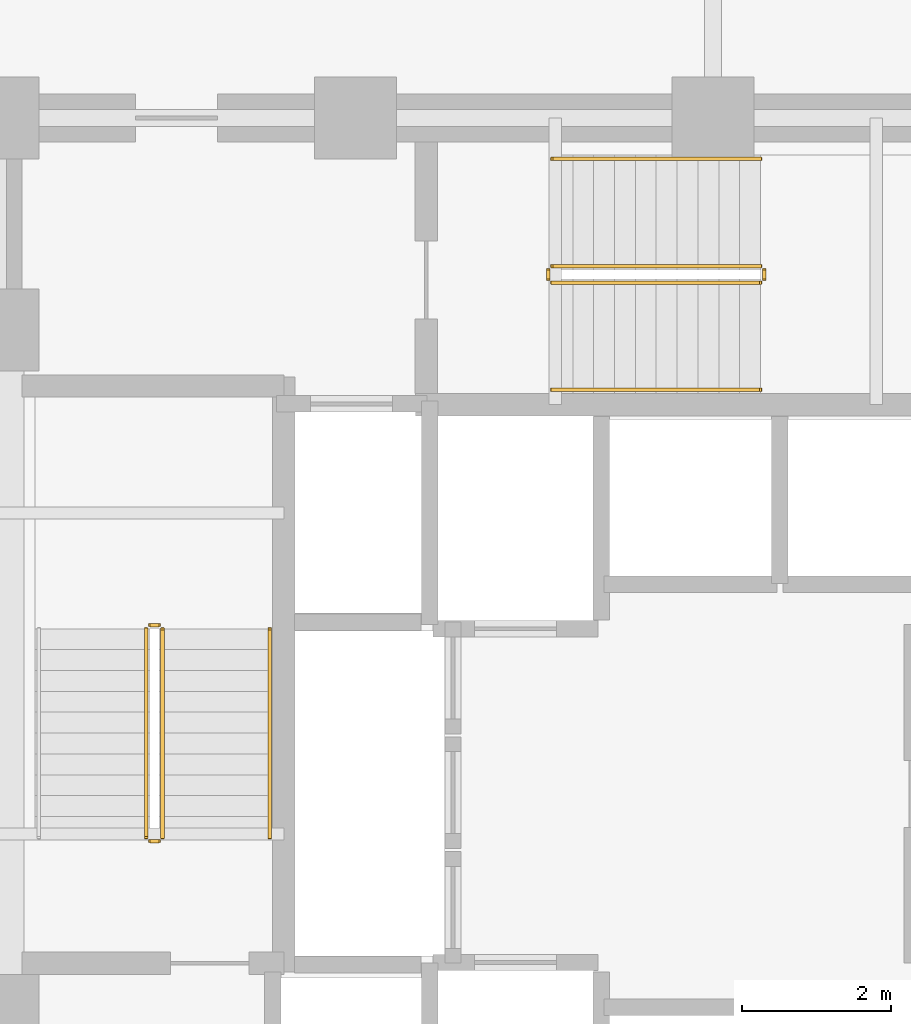
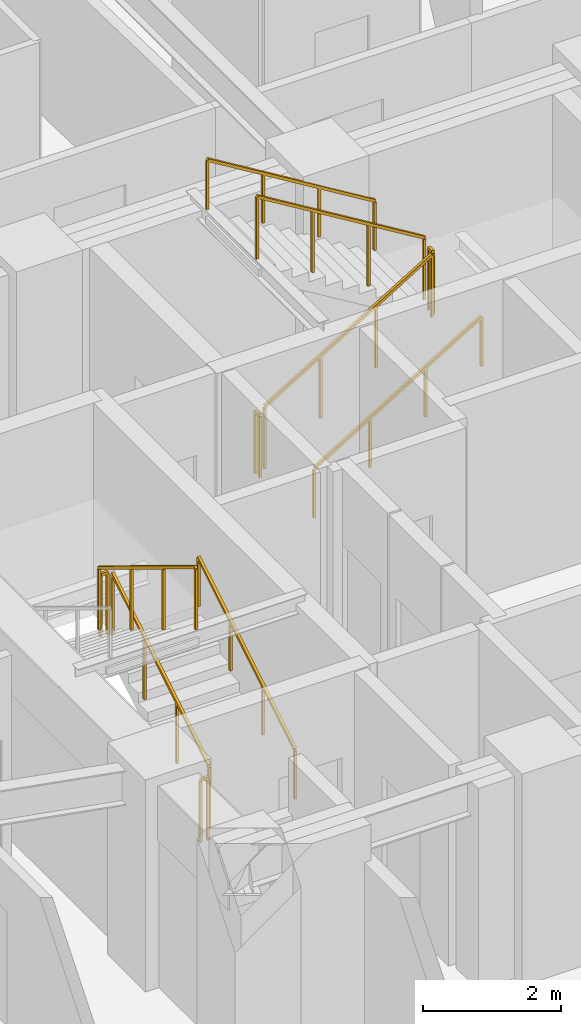
# One storey, part 30 of 33: 11 railings.
"""IFC4 building model written with IfcOpenShell, lengths in metres."""

from ifc_helpers import new_model, si_unit, direction, frame, origin, origin_2d, place, context, subcontext, project, spatial, rectangle, extrude, material, type_object, element, save


model = new_model("IFC4")

# Units and contexts
model_context = context("Model", 3, precision=1e-05, world=origin(), true_north=direction((0.0, 1.0)))
body_context = subcontext(model_context, "Body", "Model", "MODEL_VIEW")
ifc_project = project(units=[si_unit("LENGTHUNIT", "METRE"), si_unit("AREAUNIT", "SQUARE_METRE"), si_unit("VOLUMEUNIT", "CUBIC_METRE"), si_unit("PLANEANGLEUNIT", "RADIAN"), si_unit("MASSUNIT", "GRAM", prefix="KILO")], contexts=[model_context])

# Site, building, storey
site_placement = place(None, origin())
site = spatial("IfcSite", under=ifc_project, at=site_placement, CompositionType="ELEMENT")
building_placement = place(site_placement, origin())
building = spatial("IfcBuilding", under=site, at=building_placement, Name="Vantalir Tower", CompositionType="ELEMENT")
storey_placement = place(building_placement, frame((0.0, 0.0, 72.0)))
storey = spatial("IfcBuildingStorey", under=building, at=storey_placement, Name="L17", CompositionType="ELEMENT", Elevation=72.0)

# Railings
ifc_material_1 = material(Name="Anodised aluminium and stainless steel guard", Category="steel")
railing_type_1 = type_object("IfcRailingType", Name="RAL-GUARD-1120", PredefinedType="GUARDRAIL", material=ifc_material_1)
railing_1_placement = place(storey_placement, frame((24.110107421875, 22.7900390625, 0.17041015625)))
element("IfcRailing", 1, at=railing_1_placement, inside=storey, type_object=railing_type_1, Name="L17 ST1 stair guard 1", PredefinedType="GUARDRAIL", context=body_context, shape_type="SweptSolid", body=[
    extrude(rectangle(XDim=0.048095703125, YDim=0.048095703125, at=origin_2d()), frame((0.0, 0.0, 1.09619140625), z_axis=(0.0, 0.854169791009, 0.51999420009), x_axis=(-1.0, 0.0, 0.0)), (0.0, 0.0, 1.0), 3.278076171875),
    extrude(rectangle(XDim=0.0419921875, YDim=0.0419921875, at=origin_2d()), origin(), (0.0, 0.0, 1.0), 1.072021484375),
    extrude(rectangle(XDim=0.0419921875, YDim=0.0419921875, at=origin_2d()), frame((0.0, 0.933349609375, 0.568115234375)), (0.0, 0.0, 1.0), 1.072021484375),
    extrude(rectangle(XDim=0.0419921875, YDim=0.0419921875, at=origin_2d()), frame((0.0, 1.86669921875, 1.136474609375)), (0.0, 0.0, 1.0), 1.072021484375),
    extrude(rectangle(XDim=0.0419921875, YDim=0.0419921875, at=origin_2d()), frame((0.0, 2.800048828125, 1.70458984375)), (0.0, 0.0, 1.0), 1.072021484375),
])
railing_2_placement = place(storey_placement, frame((24.06005859375, 25.639892578125, 1.875)))
element("IfcRailing", 2, at=railing_2_placement, inside=storey, type_object=railing_type_1, Name="L17 ST1 stair guard 2", PredefinedType="GUARDRAIL", context=body_context, shape_type="SweptSolid", body=[
    extrude(rectangle(XDim=0.048095703125, YDim=0.048095703125, at=origin_2d()), frame((0.0, 0.0, 1.09619140625), z_axis=(-1.0, 0.0, 0.0), x_axis=(0.0, -1.0, 0.0)), (0.0, 0.0, 1.0), 0.1201171875),
    extrude(rectangle(XDim=0.0419921875, YDim=0.0419921875, at=origin_2d()), origin(), (0.0, 0.0, 1.0), 1.072021484375),
    extrude(rectangle(XDim=0.0419921875, YDim=0.0419921875, at=origin_2d()), frame((-0.1201171875, 0.0, 0.0)), (0.0, 0.0, 1.0), 1.072021484375),
])
railing_3_placement = place(storey_placement, frame((23.889892578125, 25.590087890625, 2.04541015625)))
element("IfcRailing", 3, at=railing_3_placement, inside=storey, type_object=railing_type_1, Name="L17 ST1 stair guard 3", PredefinedType="GUARDRAIL", context=body_context, shape_type="SweptSolid", body=[
    extrude(rectangle(XDim=0.048095703125, YDim=0.048095703125, at=origin_2d()), frame((0.0, 0.0, 1.09619140625), z_axis=(0.0, -0.854169791009, 0.51999420009), x_axis=(1.0, 0.0, 0.0)), (0.0, 0.0, 1.0), 3.278076171875),
    extrude(rectangle(XDim=0.0419921875, YDim=0.0419921875, at=origin_2d()), origin(), (0.0, 0.0, 1.0), 1.072021484375),
    extrude(rectangle(XDim=0.0419921875, YDim=0.0419921875, at=origin_2d()), frame((0.0, -0.933349609375, 0.568115234375)), (0.0, 0.0, 1.0), 1.072021484375),
    extrude(rectangle(XDim=0.0419921875, YDim=0.0419921875, at=origin_2d()), frame((0.0, -1.86669921875, 1.136474609375)), (0.0, 0.0, 1.0), 1.072021484375),
    extrude(rectangle(XDim=0.0419921875, YDim=0.0419921875, at=origin_2d()), frame((0.0, -2.800048828125, 1.70458984375)), (0.0, 0.0, 1.0), 1.072021484375),
])
railing_4_placement = place(storey_placement, frame((24.06005859375, 22.739990234375, 0.0)))
element("IfcRailing", 4, at=railing_4_placement, inside=storey, type_object=railing_type_1, Name="L17 ST1 stair guard 4", PredefinedType="GUARDRAIL", context=body_context, shape_type="SweptSolid", body=[
    extrude(rectangle(XDim=0.048095703125, YDim=0.048095703125, at=origin_2d()), frame((0.0, 0.0, 1.09619140625), z_axis=(-1.0, 0.0, 0.0), x_axis=(0.0, -1.0, 0.0)), (0.0, 0.0, 1.0), 0.1201171875),
    extrude(rectangle(XDim=0.0419921875, YDim=0.0419921875, at=origin_2d()), origin(), (0.0, 0.0, 1.0), 1.072021484375),
    extrude(rectangle(XDim=0.0419921875, YDim=0.0419921875, at=origin_2d()), frame((-0.1201171875, 0.0, 0.0)), (0.0, 0.0, 1.0), 1.072021484375),
])
railing_5_placement = place(storey_placement, frame((29.340087890625, 30.239990234375, 0.17041015625)))
element("IfcRailing", 5, at=railing_5_placement, inside=storey, type_object=railing_type_1, Name="L17 ST3 stair guard 1", PredefinedType="GUARDRAIL", context=body_context, shape_type="SweptSolid", body=[
    extrude(rectangle(XDim=0.048095703125, YDim=0.048095703125, at=origin_2d()), frame((0.0, 0.0, 1.09619140625), z_axis=(0.854149651119, 0.0, 0.520027281489), x_axis=(0.0, 1.0, 0.0)), (0.0, 0.0, 1.0), 3.27783203125),
    extrude(rectangle(XDim=0.0419921875, YDim=0.0419921875, at=origin_2d()), origin(), (0.0, 0.0, 1.0), 1.072021484375),
    extrude(rectangle(XDim=0.0419921875, YDim=0.0419921875, at=origin_2d()), frame((0.933349609375, 0.0, 0.568115234375)), (0.0, 0.0, 1.0), 1.072021484375),
    extrude(rectangle(XDim=0.0419921875, YDim=0.0419921875, at=origin_2d()), frame((1.866455078125, 0.0, 1.136474609375)), (0.0, 0.0, 1.0), 1.072021484375),
    extrude(rectangle(XDim=0.0419921875, YDim=0.0419921875, at=origin_2d()), frame((2.7998046875, 0.0, 1.70458984375)), (0.0, 0.0, 1.0), 1.072021484375),
])
railing_6_placement = place(storey_placement, frame((32.18994140625, 30.2900390625, 1.875)))
element("IfcRailing", 6, at=railing_6_placement, inside=storey, type_object=railing_type_1, Name="L17 ST3 stair guard 2", PredefinedType="GUARDRAIL", context=body_context, shape_type="SweptSolid", body=[
    extrude(rectangle(XDim=0.048095703125, YDim=0.048095703125, at=origin_2d()), frame((0.0, 0.0, 1.09619140625), z_axis=(0.0, 1.0, 0.0), x_axis=(-1.0, 0.0, 0.0)), (0.0, 0.0, 1.0), 0.119873046875),
    extrude(rectangle(XDim=0.0419921875, YDim=0.0419921875, at=origin_2d()), origin(), (0.0, 0.0, 1.0), 1.072021484375),
    extrude(rectangle(XDim=0.0419921875, YDim=0.0419921875, at=origin_2d()), frame((0.0, 0.119873046875, 0.0)), (0.0, 0.0, 1.0), 1.072021484375),
])
railing_7_placement = place(storey_placement, frame((32.139892578125, 30.4599609375, 2.04541015625)))
element("IfcRailing", 7, at=railing_7_placement, inside=storey, type_object=railing_type_1, Name="L17 ST3 stair guard 3", PredefinedType="GUARDRAIL", context=body_context, shape_type="SweptSolid", body=[
    extrude(rectangle(XDim=0.048095703125, YDim=0.048095703125, at=origin_2d()), frame((0.0, 0.0, 1.09619140625), z_axis=(-0.854149651119, 0.0, 0.520027281489), x_axis=(0.0, -1.0, 0.0)), (0.0, 0.0, 1.0), 3.27783203125),
    extrude(rectangle(XDim=0.0419921875, YDim=0.0419921875, at=origin_2d()), origin(), (0.0, 0.0, 1.0), 1.072021484375),
    extrude(rectangle(XDim=0.0419921875, YDim=0.0419921875, at=origin_2d()), frame((-0.933349609375, 0.0, 0.568115234375)), (0.0, 0.0, 1.0), 1.072021484375),
    extrude(rectangle(XDim=0.0419921875, YDim=0.0419921875, at=origin_2d()), frame((-1.866455078125, 0.0, 1.136474609375)), (0.0, 0.0, 1.0), 1.072021484375),
    extrude(rectangle(XDim=0.0419921875, YDim=0.0419921875, at=origin_2d()), frame((-2.7998046875, 0.0, 1.70458984375)), (0.0, 0.0, 1.0), 1.072021484375),
])
railing_8_placement = place(storey_placement, frame((29.2900390625, 30.2900390625, 0.0)))
element("IfcRailing", 8, at=railing_8_placement, inside=storey, type_object=railing_type_1, Name="L17 ST3 stair guard 4", PredefinedType="GUARDRAIL", context=body_context, shape_type="SweptSolid", body=[
    extrude(rectangle(XDim=0.048095703125, YDim=0.048095703125, at=origin_2d()), frame((0.0, 0.0, 1.09619140625), z_axis=(0.0, 1.0, 0.0), x_axis=(-1.0, 0.0, 0.0)), (0.0, 0.0, 1.0), 0.119873046875),
    extrude(rectangle(XDim=0.0419921875, YDim=0.0419921875, at=origin_2d()), origin(), (0.0, 0.0, 1.0), 1.072021484375),
    extrude(rectangle(XDim=0.0419921875, YDim=0.0419921875, at=origin_2d()), frame((0.0, 0.119873046875, 0.0)), (0.0, 0.0, 1.0), 1.072021484375),
])
ifc_material_2 = material(Name="Brushed stainless steel tubular handrail", Category="steel")
railing_type_2 = type_object("IfcRailingType", Name="RAL-HANDRAIL-900", PredefinedType="HANDRAIL", material=ifc_material_2)
railing_9_placement = place(storey_placement, frame((25.550048828125, 22.7900390625, 0.17041015625)))
element("IfcRailing", 9, at=railing_9_placement, inside=storey, type_object=railing_type_2, Name="L17 ST1 stair handrail 1", PredefinedType="HANDRAIL", context=body_context, shape_type="SweptSolid", body=[
    extrude(rectangle(XDim=0.048095703125, YDim=0.048095703125, at=origin_2d()), frame((0.0, 0.0, 0.8759765625), z_axis=(0.0, 0.854169791009, 0.51999420009), x_axis=(-1.0, 0.0, 0.0)), (0.0, 0.0, 1.0), 3.278076171875),
    extrude(rectangle(XDim=0.0419921875, YDim=0.0419921875, at=origin_2d()), origin(), (0.0, 0.0, 1.0), 0.851806640625),
    extrude(rectangle(XDim=0.0419921875, YDim=0.0419921875, at=origin_2d()), frame((0.0, 0.933349609375, 0.568115234375)), (0.0, 0.0, 1.0), 0.851806640625),
    extrude(rectangle(XDim=0.0419921875, YDim=0.0419921875, at=origin_2d()), frame((0.0, 1.86669921875, 1.136474609375)), (0.0, 0.0, 1.0), 0.851806640625),
    extrude(rectangle(XDim=0.0419921875, YDim=0.0419921875, at=origin_2d()), frame((0.0, 2.800048828125, 1.70458984375)), (0.0, 0.0, 1.0), 0.851806640625),
])
railing_10_placement = place(storey_placement, frame((29.340087890625, 28.800048828125, 0.17041015625)))
element("IfcRailing", 10, at=railing_10_placement, inside=storey, type_object=railing_type_2, Name="L17 ST3 stair handrail 1", PredefinedType="HANDRAIL", context=body_context, shape_type="SweptSolid", body=[
    extrude(rectangle(XDim=0.048095703125, YDim=0.048095703125, at=origin_2d()), frame((0.0, 0.0, 0.8759765625), z_axis=(0.854149651119, 0.0, 0.520027281489), x_axis=(0.0, 1.0, 0.0)), (0.0, 0.0, 1.0), 3.27783203125),
    extrude(rectangle(XDim=0.0419921875, YDim=0.0419921875, at=origin_2d()), origin(), (0.0, 0.0, 1.0), 0.851806640625),
    extrude(rectangle(XDim=0.0419921875, YDim=0.0419921875, at=origin_2d()), frame((0.933349609375, 0.0, 0.568115234375)), (0.0, 0.0, 1.0), 0.851806640625),
    extrude(rectangle(XDim=0.0419921875, YDim=0.0419921875, at=origin_2d()), frame((1.866455078125, 0.0, 1.136474609375)), (0.0, 0.0, 1.0), 0.851806640625),
    extrude(rectangle(XDim=0.0419921875, YDim=0.0419921875, at=origin_2d()), frame((2.7998046875, 0.0, 1.70458984375)), (0.0, 0.0, 1.0), 0.851806640625),
])
railing_11_placement = place(storey_placement, frame((32.139892578125, 31.89990234375, 2.04541015625)))
element("IfcRailing", 11, at=railing_11_placement, inside=storey, type_object=railing_type_2, Name="L17 ST3 stair handrail 2", PredefinedType="HANDRAIL", context=body_context, shape_type="SweptSolid", body=[
    extrude(rectangle(XDim=0.048095703125, YDim=0.048095703125, at=origin_2d()), frame((0.0, 0.0, 0.8759765625), z_axis=(-0.854149651119, 0.0, 0.520027281489), x_axis=(0.0, -1.0, 0.0)), (0.0, 0.0, 1.0), 3.27783203125),
    extrude(rectangle(XDim=0.0419921875, YDim=0.0419921875, at=origin_2d()), origin(), (0.0, 0.0, 1.0), 0.851806640625),
    extrude(rectangle(XDim=0.0419921875, YDim=0.0419921875, at=origin_2d()), frame((-0.933349609375, 0.0, 0.568115234375)), (0.0, 0.0, 1.0), 0.851806640625),
    extrude(rectangle(XDim=0.0419921875, YDim=0.0419921875, at=origin_2d()), frame((-1.866455078125, 0.0, 1.136474609375)), (0.0, 0.0, 1.0), 0.851806640625),
    extrude(rectangle(XDim=0.0419921875, YDim=0.0419921875, at=origin_2d()), frame((-2.7998046875, 0.0, 1.70458984375)), (0.0, 0.0, 1.0), 0.851806640625),
])

save(model, "model.ifc")
